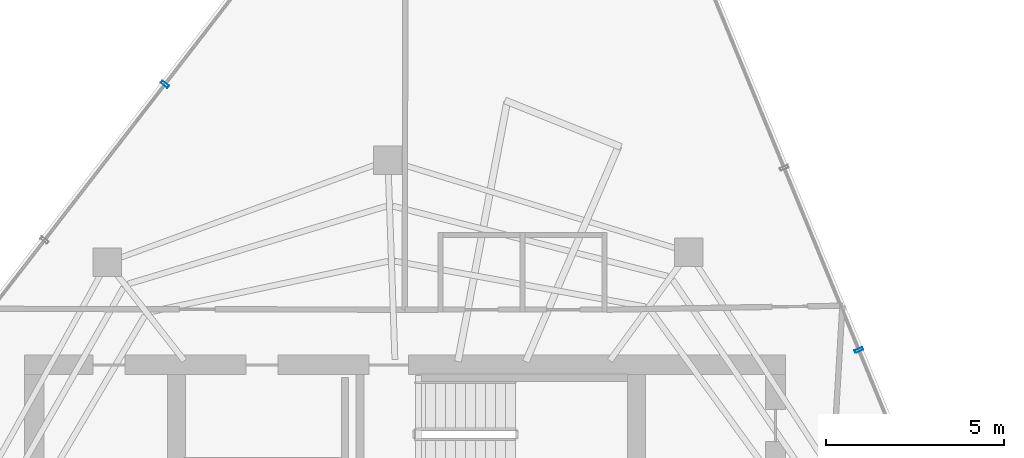
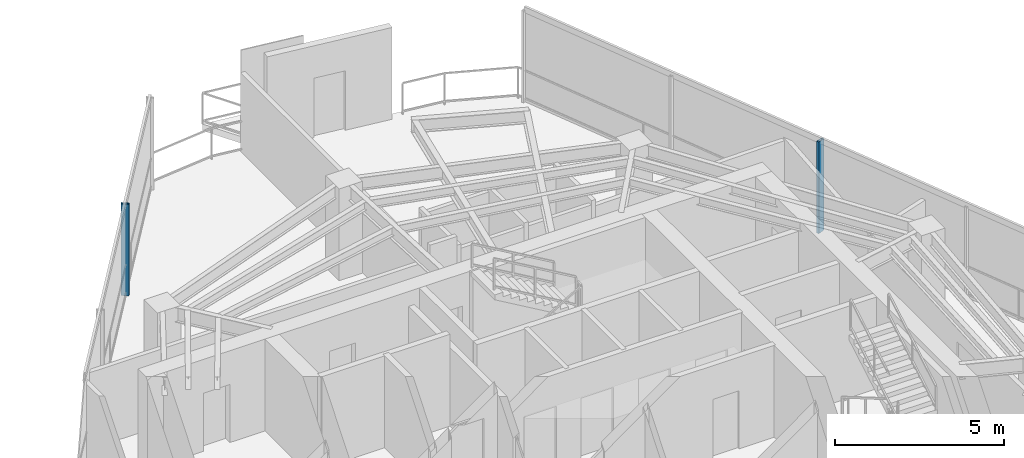
# One storey, part 12 of 19: 2 members, 2 elements without a shape of their own.
"""IFC4 building model written with IfcOpenShell, lengths in metres."""

from ifc_helpers import new_model, si_unit, direction, frame, origin, origin_2d, place, context, subcontext, project, spatial, hollow_rectangle, extrude, material, layer, layer_set, material_profile, profile_set, type_object, element, aggregate, save


model = new_model("IFC4")

# Units and contexts
model_context = context("Model", 3, precision=1e-05, world=origin(), true_north=direction((0.0, 1.0)))
body_context = subcontext(model_context, "Body", "Model", "MODEL_VIEW")
ifc_project = project(units=[si_unit("LENGTHUNIT", "METRE"), si_unit("AREAUNIT", "SQUARE_METRE"), si_unit("VOLUMEUNIT", "CUBIC_METRE"), si_unit("PLANEANGLEUNIT", "RADIAN"), si_unit("MASSUNIT", "GRAM", prefix="KILO")], contexts=[model_context])

# Site, building, storey
site_placement = place(None, origin())
site = spatial("IfcSite", under=ifc_project, at=site_placement, CompositionType="ELEMENT")
building_placement = place(site_placement, origin())
building = spatial("IfcBuilding", under=site, at=building_placement, Name="Qarnah Convention Tower", CompositionType="ELEMENT")
storey_placement = place(building_placement, frame((0.0, 0.0, 264.300048828125)))
storey = spatial("IfcBuildingStorey", under=building, at=storey_placement, Name="L71", CompositionType="ELEMENT", Elevation=264.300048828125)

# Curtain wall, member
ifc_material_1 = material(Name="Tempered Low-E dark glass", Category="glass")
ifc_layer = layer(ifc_material_1, 0.176025390625)
ifc_layer_set = layer_set([ifc_layer], Name="Tempered Low-E dark glass")
curtain_wall_type = type_object("IfcCurtainWallType", Name="CWS-05", PredefinedType="NOTDEFINED", material=ifc_layer_set)
curtain_wall_1_placement = place(storey_placement, origin())
curtain_wall_1 = element("IfcCurtainWall", 1, at=curtain_wall_1_placement, inside=storey, type_object=curtain_wall_type, Name="L71 unitised curtain wall CW-L71-F1", PredefinedType="NOTDEFINED")
ifc_material_2 = material(Name="Black anodised aluminium", Category="aluminium")
ifc_material_profile = material_profile(ifc_material_2, hollow_rectangle(XDim=0.080078125, YDim=0.239990234375, WallThickness=0.0048828125, at=origin_2d()), Name="MUL-80X240")
ifc_profile_set = profile_set([ifc_material_profile], Name="Black anodised aluminium")
member_type = type_object("IfcMemberType", Name="MUL-T5", PredefinedType="MULLION", material=ifc_profile_set)
member_1_placement = place(storey_placement, frame((49.94091796875, 34.6171875, 0.0), z_axis=(0.0, 0.0, 1.0), x_axis=(0.37977560806, -0.925078638561, 0.0)))
member_1 = element("IfcMember", 2, at=member_1_placement, type_object=member_type, Name="CW-L71-F1 mullion 3", PredefinedType="MULLION", context=body_context, shape_type="SweptSolid", body=[
    extrude(hollow_rectangle(XDim=0.080078125, YDim=0.239990234375, WallThickness=0.0048828125, at=origin_2d()), origin(), (0.0, 0.0, 1.0), 3.320068359375),
])
aggregate(curtain_wall_1, [member_1])

curtain_wall_2_placement = place(storey_placement, origin())
curtain_wall_2 = element("IfcCurtainWall", 3, at=curtain_wall_2_placement, inside=storey, type_object=curtain_wall_type, Name="L71 unitised curtain wall CW-L71-F2", PredefinedType="NOTDEFINED")
member_2_placement = place(storey_placement, frame((30.468505859375, 42.0712890625, 0.0), z_axis=(0.0, 0.0, 1.0), x_axis=(0.611290898886, 0.79140598743, 0.0)))
member_2 = element("IfcMember", 4, at=member_2_placement, type_object=member_type, Name="CW-L71-F2 mullion 5", PredefinedType="MULLION", context=body_context, shape_type="SweptSolid", body=[
    extrude(hollow_rectangle(XDim=0.080078125, YDim=0.239990234375, WallThickness=0.0048828125, at=origin_2d()), origin(), (0.0, 0.0, 1.0), 3.320068359375),
])
aggregate(curtain_wall_2, [member_2])

save(model, "model.ifc")
